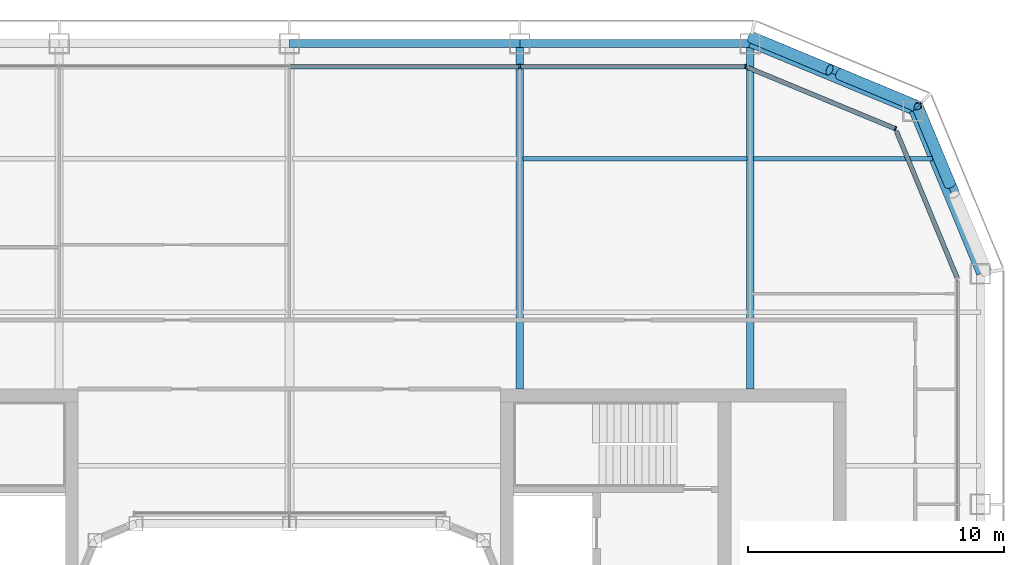
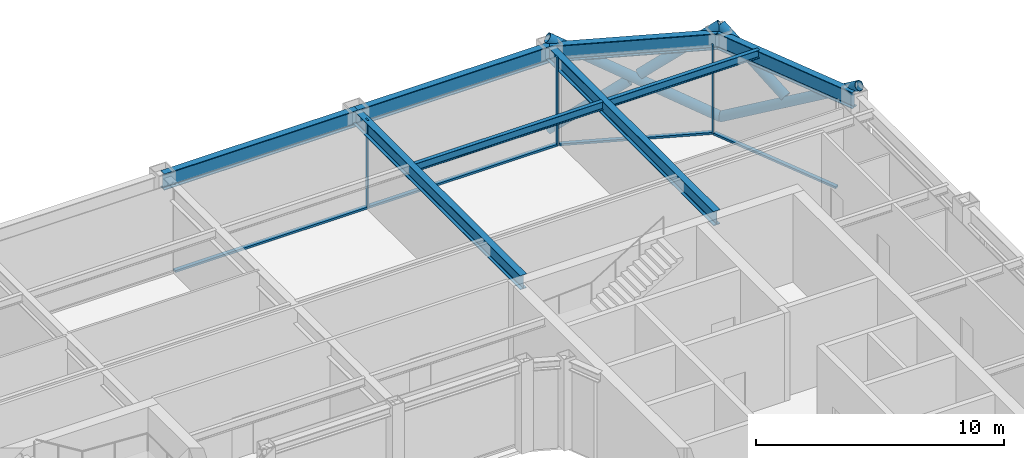
# One storey, part 10 of 19: 12 members, 8 beams, 3 elements without a shape of their own.
"""IFC4 building model written with IfcOpenShell, lengths in metres."""

from ifc_helpers import new_model, si_unit, direction, frame, origin, origin_2d, place, context, subcontext, project, spatial, rectangle, hollow_circle, i_section, extrude, material, layer, layer_set, material_profile, profile_set, type_object, element, aggregate, save


model = new_model("IFC4")

# Units and contexts
model_context = context("Model", 3, precision=1e-05, world=origin(), true_north=direction((0.0, 1.0)))
body_context = subcontext(model_context, "Body", "Model", "MODEL_VIEW")
ifc_project = project(units=[si_unit("LENGTHUNIT", "METRE"), si_unit("AREAUNIT", "SQUARE_METRE"), si_unit("VOLUMEUNIT", "CUBIC_METRE"), si_unit("PLANEANGLEUNIT", "RADIAN"), si_unit("MASSUNIT", "GRAM", prefix="KILO")], contexts=[model_context])

# Site, building, storey
site_placement = place(None, origin())
site = spatial("IfcSite", under=ifc_project, at=site_placement, CompositionType="ELEMENT")
building_placement = place(site_placement, origin())
building = spatial("IfcBuilding", under=site, at=building_placement, Name="Siwar Civic Tower", CompositionType="ELEMENT")
storey_placement = place(building_placement, frame((0.0, 0.0, 264.699951171875)))
storey = spatial("IfcBuildingStorey", under=building, at=storey_placement, Name="L57", CompositionType="ELEMENT", Elevation=264.699951171875)

# Curtain wall, member
ifc_material_1 = material(Name="Aluminium clad insulated panel", Category="aluminium")
ifc_layer_1 = layer(ifc_material_1, 0.179931640625)
ifc_layer_set_1 = layer_set([ifc_layer_1], Name="Aluminium clad insulated panel")
curtain_wall_type_1 = type_object("IfcCurtainWallType", Name="ENV-CW-CX", PredefinedType="NOTDEFINED", material=ifc_layer_set_1)
curtain_wall_1_placement = place(storey_placement, origin())
curtain_wall_1 = element("IfcCurtainWall", 1, at=curtain_wall_1_placement, inside=storey, type_object=curtain_wall_type_1, Name="Curtain wall C NE2", PredefinedType="NOTDEFINED")
ifc_material_2 = material(Name="Aluminium 6063-T6", Category="aluminium")
ifc_material_profile_1 = material_profile(ifc_material_2, rectangle(XDim=0.179931640625, YDim=0.06005859375, at=origin_2d()), Name="AL 180x60")
ifc_profile_set_1 = profile_set([ifc_material_profile_1], Name="Aluminium 6063-T6")
member_type_1 = type_object("IfcMemberType", Name="ENV-MULLION-C", PredefinedType="MULLION", material=ifc_profile_set_1)
member_1_placement = place(storey_placement, frame((23.675048828125, 23.675048828125, 0.0), z_axis=(0.0, 0.0, 1.0), x_axis=(-0.382683432365, -0.923879532511, 0.0)))
member_1 = element("IfcMember", 2, at=member_1_placement, type_object=member_type_1, Name="Mullion C NE2 1", PredefinedType="MULLION", context=body_context, shape_type="SweptSolid", body=[
    extrude(rectangle(XDim=0.179931640625, YDim=0.06005859375, at=origin_2d()), origin(), (0.0, 0.0, 1.0), 4.35009765625),
])

# Curtain wall, members
ifc_material_3 = material(Name="Aluminium and glass", Category="aluminium")
ifc_layer_2 = layer(ifc_material_3, 0.179931640625)
ifc_layer_set_2 = layer_set([ifc_layer_2], Name="Aluminium and glass")
curtain_wall_type_2 = type_object("IfcCurtainWallType", Name="ENV-CW-C", PredefinedType="NOTDEFINED", material=ifc_layer_set_2)
curtain_wall_2_placement = place(storey_placement, origin())
curtain_wall_2 = element("IfcCurtainWall", 3, at=curtain_wall_2_placement, inside=storey, type_object=curtain_wall_type_2, Name="Curtain wall C N", PredefinedType="NOTDEFINED")
member_2_placement = place(storey_placement, frame((17.821044921875, 26.10009765625, 0.0), z_axis=(0.0, 0.0, 1.0), x_axis=(0.0, -1.0, 0.0)))
member_2 = element("IfcMember", 4, at=member_2_placement, type_object=member_type_1, Name="Mullion C N 1", PredefinedType="MULLION", context=body_context, shape_type="SweptSolid", body=[
    extrude(rectangle(XDim=0.179931640625, YDim=0.06005859375, at=origin_2d()), origin(), (0.0, 0.0, 1.0), 4.35009765625),
])
member_3_placement = place(storey_placement, frame((9.0, 26.10009765625, 0.0), z_axis=(0.0, 0.0, 1.0), x_axis=(0.0, -1.0, 0.0)))
member_3 = element("IfcMember", 5, at=member_3_placement, type_object=member_type_1, Name="Mullion C N 2", PredefinedType="MULLION", context=body_context, shape_type="SweptSolid", body=[
    extrude(rectangle(XDim=0.179931640625, YDim=0.06005859375, at=origin_2d()), origin(), (0.0, 0.0, 1.0), 4.35009765625),
])

# Curtain wall, member
curtain_wall_3_placement = place(storey_placement, origin())
curtain_wall_3 = element("IfcCurtainWall", 6, at=curtain_wall_3_placement, inside=storey, type_object=curtain_wall_type_1, Name="Curtain wall C NE1", PredefinedType="NOTDEFINED")
ifc_material_4 = material(Name="Aluminium 6063-T6", Category="aluminium")
ifc_material_profile_2 = material_profile(ifc_material_4, rectangle(XDim=0.179931640625, YDim=0.10009765625, at=origin_2d()), Name="AL 180x100")
ifc_profile_set_2 = profile_set([ifc_material_profile_2], Name="Aluminium 6063-T6")
member_type_2 = type_object("IfcMemberType", Name="ENV-TRANSOM-C", PredefinedType="USERDEFINED", material=ifc_profile_set_2)
member_4_placement = place(storey_placement, frame((26.088623046875, 17.8486328125, 0.050048828125), z_axis=(-0.38267744817, 0.923882011223, 0.0), x_axis=(-0.923882011223, -0.38267744817, 0.0)))
member_4 = element("IfcMember", 7, at=member_4_placement, type_object=member_type_2, Name="Transom C NE1 1", ObjectType="TRANSOM", PredefinedType="USERDEFINED", context=body_context, shape_type="SweptSolid", body=[
    extrude(rectangle(XDim=0.179931640625, YDim=0.10009765625, at=origin_2d()), origin(), (0.0, 0.0, 1.0), 6.201904296875),
])
aggregate(curtain_wall_3, [member_4])

# Member
member_5_placement = place(storey_placement, frame((23.6474609375, 23.6865234375, 0.050048828125), z_axis=(-0.923876246063, 0.382691366456, 0.0), x_axis=(-0.382691366456, -0.923876246063, 0.0)))
member_5 = element("IfcMember", 8, at=member_5_placement, type_object=member_type_2, Name="Transom C NE2 1", ObjectType="TRANSOM", PredefinedType="USERDEFINED", context=body_context, shape_type="SweptSolid", body=[
    extrude(rectangle(XDim=0.179931640625, YDim=0.10009765625, at=origin_2d()), origin(), (0.0, 0.0, 1.0), 6.20166015625),
])

aggregate(curtain_wall_1, [member_1, member_5])

member_6_placement = place(storey_placement, frame((17.791015625, 26.10009765625, 0.050048828125), z_axis=(-1.0, 0.0, 0.0), x_axis=(0.0, -1.0, 0.0)))
member_6 = element("IfcMember", 9, at=member_6_placement, type_object=member_type_2, Name="Transom C N 1", ObjectType="TRANSOM", PredefinedType="USERDEFINED", context=body_context, shape_type="SweptSolid", body=[
    extrude(rectangle(XDim=0.179931640625, YDim=0.10009765625, at=origin_2d()), origin(), (0.0, 0.0, 1.0), 8.760986328125),
])

member_7_placement = place(storey_placement, frame((8.969970703125, 26.10009765625, 0.050048828125), z_axis=(-1.0, 0.0, 0.0), x_axis=(0.0, -1.0, 0.0)))
member_7 = element("IfcMember", 10, at=member_7_placement, type_object=member_type_2, Name="Transom C N 2", ObjectType="TRANSOM", PredefinedType="USERDEFINED", context=body_context, shape_type="SweptSolid", body=[
    extrude(rectangle(XDim=0.179931640625, YDim=0.10009765625, at=origin_2d()), origin(), (0.0, 0.0, 1.0), 8.93994140625),
])

aggregate(curtain_wall_2, [member_2, member_3, member_6, member_7])

# Members
ifc_material_5 = material(Name="Steel S355", Category="steel")
ifc_material_profile_3 = material_profile(ifc_material_5, hollow_circle(Radius=0.228515625, WallThickness=0.02001953125, at=origin_2d()), Name="CHS457x20")
ifc_profile_set_3 = profile_set([ifc_material_profile_3], Name="Steel S355")
member_type_3 = type_object("IfcMemberType", Name="STR-BR-CHS457x20", PredefinedType="BRACE", material=ifc_profile_set_3)
member_8_placement = place(storey_placement, frame((24.540771484375, 24.540771484375, 0.0), z_axis=(-0.777554562952, 0.323905527954, 0.538975055633), x_axis=(-0.384538969033, -0.923108759191, 0.0)))
element("IfcMember", 11, at=member_8_placement, inside=storey, type_object=member_type_3, Name="L57/brc/CNE1-17-0-1", PredefinedType="BRACE", context=body_context, shape_type="SweptSolid", body=[
    extrude(hollow_circle(Radius=0.228515625, WallThickness=0.02001953125, at=origin_2d()), origin(), (0.0, 0.0, 1.0), 8.34912109375),
])
for number, where, z_axis, x_axis, name in (
    (12, (18.048828125, 27.2451171875, 0.0), (0.777546448489, -0.323884455881, 0.538999424564), (0.38452107079, 0.92311621485, 0.0), "L57/brc/CNE1-17-0-2"),
    (13, (21.486572265625, 25.81298828125, 2.383056640625), (0.777572496853, -0.323895306243, 0.538955325357), (0.38452107079, 0.92311621485, 0.0), "L57/brc/CNE1-17-0-3"),
):
    element("IfcMember", number, at=place(storey_placement, frame(where, z_axis=z_axis, x_axis=x_axis)), inside=storey, type_object=member_type_3, Name=name, PredefinedType="BRACE", context=body_context, shape_type="SweptSolid", body=[
        extrude(hollow_circle(Radius=0.228515625, WallThickness=0.02001953125, at=origin_2d()), origin(), (0.0, 0.0, 1.0), 3.927978515625),
    ])
member_9_placement = place(storey_placement, frame((24.540771484375, 24.540771484375, 0.0), z_axis=(0.323905527954, -0.777554562952, 0.538975055633), x_axis=(0.923108759191, 0.384538969033, 0.0)))
element("IfcMember", 14, at=member_9_placement, inside=storey, type_object=member_type_3, Name="L57/brc/CNE1-17-0-0", PredefinedType="BRACE", context=body_context, shape_type="SweptSolid", body=[
    extrude(hollow_circle(Radius=0.228515625, WallThickness=0.02001953125, at=origin_2d()), origin(), (0.0, 0.0, 1.0), 8.34912109375),
])
member_10_placement = place(storey_placement, frame((25.81298828125, 21.486572265625, 2.383056640625), z_axis=(-0.323895306243, 0.777572496853, 0.538955325357), x_axis=(-0.92311621485, -0.38452107079, 0.0)))
element("IfcMember", 15, at=member_10_placement, inside=storey, type_object=member_type_3, Name="L57/brc/CNE1-17-0-5", PredefinedType="BRACE", context=body_context, shape_type="SweptSolid", body=[
    extrude(hollow_circle(Radius=0.228515625, WallThickness=0.02001953125, at=origin_2d()), origin(), (0.0, 0.0, 1.0), 3.927978515625),
])

# Beams
ifc_material_6 = material(Name="Steel S355", Category="steel")
ifc_material_profile_4 = material_profile(ifc_material_6, i_section(OverallWidth=0.179931640625, OverallDepth=0.39990234375, WebThickness=0.008544921875, FlangeThickness=0.013427734375, FilletRadius=0.02099609375, at=origin_2d()), Name="IPE400")
ifc_profile_set_4 = profile_set([ifc_material_profile_4], Name="Steel S355")
beam_type_1 = type_object("IfcBeamType", Name="STR-FB-IPE400", PredefinedType="JOIST", material=ifc_profile_set_4)
beam_1_placement = place(storey_placement, frame((9.1298828125, 22.5, 4.150146484375), z_axis=(1.0, 0.0, 0.0), x_axis=(0.0, 1.0, 0.0)))
element("IfcBeam", 16, at=beam_1_placement, inside=storey, type_object=beam_type_1, Name="L57/bm/F041", PredefinedType="JOIST", context=body_context, shape_type="SweptSolid", body=[
    extrude(i_section(OverallWidth=0.179931640625, OverallDepth=0.39990234375, WebThickness=0.008544921875, FlangeThickness=0.013427734375, FilletRadius=0.02099609375, at=origin_2d()), origin(), (0.0, 0.0, 1.0), 8.740234375),
])
beam_2_placement = place(storey_placement, frame((18.1298828125, 22.5, 4.150146484375), z_axis=(1.0, 0.0, 0.0), x_axis=(0.0, 1.0, 0.0)))
element("IfcBeam", 17, at=beam_2_placement, inside=storey, type_object=beam_type_1, Name="L57/bm/F042", PredefinedType="JOIST", context=body_context, shape_type="SweptSolid", body=[
    extrude(i_section(OverallWidth=0.179931640625, OverallDepth=0.39990234375, WebThickness=0.008544921875, FlangeThickness=0.013427734375, FilletRadius=0.02099609375, at=origin_2d()), origin(), (0.0, 0.0, 1.0), 7.006103515625),
])
ifc_material_7 = material(Name="Steel S355", Category="steel")
ifc_material_profile_5 = material_profile(ifc_material_7, i_section(OverallWidth=0.300048828125, OverallDepth=0.699951171875, WebThickness=0.01708984375, FlangeThickness=0.031982421875, FilletRadius=0.027099609375, at=origin_2d()), Name="HEB700")
ifc_profile_set_5 = profile_set([ifc_material_profile_5], Name="Steel S355")
beam_type_2 = type_object("IfcBeamType", Name="STR-PG-HEB700", PredefinedType="BEAM", material=ifc_profile_set_5)
for number, where, z_axis, x_axis, name in (
    (18, (9.0, 13.5, 4.0), (0.0, 1.0, 0.0), (-1.0, 0.0, 0.0), "L57/bm/G08"),
    (19, (18.0, 13.5, 4.0), (0.0, 1.0, 0.0), (-1.0, 0.0, 0.0), "L57/bm/G10"),
):
    element("IfcBeam", number, at=place(storey_placement, frame(where, z_axis=z_axis, x_axis=x_axis)), inside=storey, type_object=beam_type_2, Name=name, PredefinedType="BEAM", context=body_context, shape_type="SweptSolid", body=[
        extrude(i_section(OverallWidth=0.300048828125, OverallDepth=0.699951171875, WebThickness=0.01708984375, FlangeThickness=0.031982421875, FilletRadius=0.027099609375, at=origin_2d()), origin(), (0.0, 0.0, 1.0), 13.5),
    ])
ifc_material_8 = material(Name="Steel S355", Category="steel")
ifc_material_profile_6 = material_profile(ifc_material_8, i_section(OverallWidth=0.300048828125, OverallDepth=0.800048828125, WebThickness=0.017578125, FlangeThickness=0.032958984375, FilletRadius=0.030029296875, at=origin_2d()), Name="HEB800")
ifc_profile_set_6 = profile_set([ifc_material_profile_6], Name="Steel S355")
beam_type_3 = type_object("IfcBeamType", Name="STR-SB-HEB800", PredefinedType="BEAM", material=ifc_profile_set_6)
for number, where, z_axis, x_axis, name in (
    (20, (27.0, 18.0, 3.949951171875), (-0.382674207535, 0.923883353507, 0.0), (-0.923883353507, -0.382674207535, 0.0), "L57/bm/SNE1-0"),
    (21, (24.364013671875, 24.364013671875, 3.949951171875), (-0.923883353507, 0.382674207535, 0.0), (-0.382674207535, -0.923883353507, 0.0), "L57/bm/SNE2-0"),
):
    element("IfcBeam", number, at=place(storey_placement, frame(where, z_axis=z_axis, x_axis=x_axis)), inside=storey, type_object=beam_type_3, Name=name, PredefinedType="BEAM", context=body_context, shape_type="SweptSolid", body=[
        extrude(i_section(OverallWidth=0.300048828125, OverallDepth=0.800048828125, WebThickness=0.017578125, FlangeThickness=0.032958984375, FilletRadius=0.030029296875, at=origin_2d()), origin(), (0.0, 0.0, 1.0), 6.888427734375),
    ])
for number, where, z_axis, x_axis, name in (
    (22, (18.0, 27.0, 3.949951171875), (-1.0, 0.0, 0.0), (0.0, -1.0, 0.0), "L57/bm/SN-0"),
    (23, (9.0, 27.0, 3.949951171875), (-1.0, 0.0, 0.0), (0.0, -1.0, 0.0), "L57/bm/SN-1"),
):
    element("IfcBeam", number, at=place(storey_placement, frame(where, z_axis=z_axis, x_axis=x_axis)), inside=storey, type_object=beam_type_3, Name=name, PredefinedType="BEAM", context=body_context, shape_type="SweptSolid", body=[
        extrude(i_section(OverallWidth=0.300048828125, OverallDepth=0.800048828125, WebThickness=0.017578125, FlangeThickness=0.032958984375, FilletRadius=0.030029296875, at=origin_2d()), origin(), (0.0, 0.0, 1.0), 9.0),
    ])

save(model, "model.ifc")
